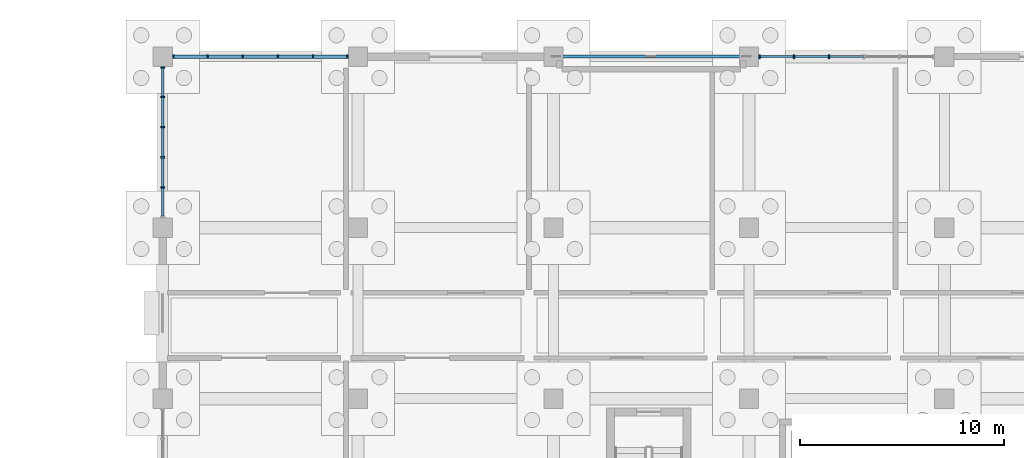
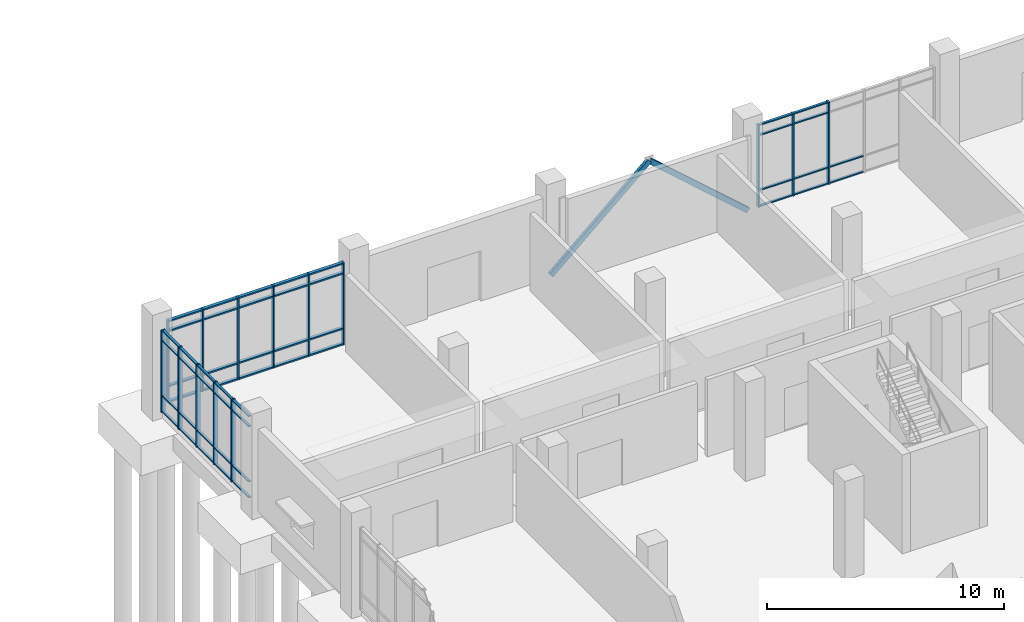
# One storey, part 70 of 136: 66 members, 3 elements without a shape of their own.
"""IFC4 building model written with IfcOpenShell, lengths in metres."""

from ifc_helpers import new_model, si_unit, direction, frame, origin, origin_2d, place, context, subcontext, project, spatial, rectangle, hollow_rectangle, extrude, material, material_profile, profile_set, type_object, element, aggregate, save


model = new_model("IFC4")

# Units and contexts
model_context = context("Model", 3, precision=1e-05, world=origin(), true_north=direction((0.0, 1.0)))
body_context = subcontext(model_context, "Body", "Model", "MODEL_VIEW")
ifc_project = project(units=[si_unit("LENGTHUNIT", "METRE"), si_unit("AREAUNIT", "SQUARE_METRE"), si_unit("VOLUMEUNIT", "CUBIC_METRE"), si_unit("PLANEANGLEUNIT", "RADIAN"), si_unit("MASSUNIT", "GRAM", prefix="KILO")], contexts=[model_context])

# Site, building, storey
site_placement = place(None, origin())
site = spatial("IfcSite", under=ifc_project, at=site_placement, CompositionType="ELEMENT")
building_placement = place(site_placement, origin())
building = spatial("IfcBuilding", under=site, at=building_placement, Name="Oolite Switchyard Hospital", CompositionType="ELEMENT")
storey_placement = place(building_placement, origin())
storey = spatial("IfcBuildingStorey", under=building, at=storey_placement, Name="L00", CompositionType="ELEMENT", Elevation=0.0)

# Curtain wall, members
ifc_material_1 = material(Name="Thermally broken aluminum frame with laminated impact glazing", Category="aluminium")
curtain_wall_type_1 = type_object("IfcCurtainWallType", Name="CW-UNIT-96X51", PredefinedType="USERDEFINED", material=ifc_material_1)
curtain_wall_1_placement = place(storey_placement, origin())
curtain_wall_1 = element("IfcCurtainWall", 1, at=curtain_wall_1_placement, inside=storey, type_object=curtain_wall_type_1, Name="L00 Unitised Curtain Wall 49", ObjectType="UNITISED", PredefinedType="USERDEFINED")
ifc_material_2 = material(Name="Aluminium 6063-T6", Category="aluminium")
ifc_material_profile_1 = material_profile(ifc_material_2, rectangle(XDim=0.179931640625, YDim=0.070068359375, at=origin_2d()), Name="CWM70X180")
ifc_profile_set_1 = profile_set([ifc_material_profile_1], Name="Aluminium 6063-T6")
member_type_1 = type_object("IfcMemberType", Name="CW-MUL-220", PredefinedType="MULLION", material=ifc_profile_set_1)
member_1_placement = place(storey_placement, frame((134.925048828125, 134.39990234375, 0.0), z_axis=(0.0, 0.0, 1.0), x_axis=(0.0, 1.0, 0.0)))
member_1 = element("IfcMember", 2, at=member_1_placement, type_object=member_type_1, Name="CW-01 mullion 1", PredefinedType="MULLION", context=body_context, shape_type="SweptSolid", body=[
    extrude(rectangle(XDim=0.179931640625, YDim=0.070068359375, at=origin_2d()), origin(), (0.0, 0.0, 1.0), 4.239990234375),
])
member_2_placement = place(storey_placement, frame((136.614013671875, 134.39990234375, 0.0), z_axis=(0.0, 0.0, 1.0), x_axis=(0.0, 1.0, 0.0)))
member_2 = element("IfcMember", 3, at=member_2_placement, type_object=member_type_1, Name="CW-01 mullion 2", PredefinedType="MULLION", context=body_context, shape_type="SweptSolid", body=[
    extrude(rectangle(XDim=0.179931640625, YDim=0.070068359375, at=origin_2d()), origin(), (0.0, 0.0, 1.0), 4.239990234375),
])
member_3_placement = place(storey_placement, frame((138.337890625, 134.39990234375, 0.0), z_axis=(0.0, 0.0, 1.0), x_axis=(0.0, 1.0, 0.0)))
member_3 = element("IfcMember", 4, at=member_3_placement, type_object=member_type_1, Name="CW-01 mullion 3", PredefinedType="MULLION", context=body_context, shape_type="SweptSolid", body=[
    extrude(rectangle(XDim=0.179931640625, YDim=0.070068359375, at=origin_2d()), origin(), (0.0, 0.0, 1.0), 4.239990234375),
])
member_4_placement = place(storey_placement, frame((140.06201171875, 134.39990234375, 0.0), z_axis=(0.0, 0.0, 1.0), x_axis=(0.0, 1.0, 0.0)))
member_4 = element("IfcMember", 5, at=member_4_placement, type_object=member_type_1, Name="CW-01 mullion 4", PredefinedType="MULLION", context=body_context, shape_type="SweptSolid", body=[
    extrude(rectangle(XDim=0.179931640625, YDim=0.070068359375, at=origin_2d()), origin(), (0.0, 0.0, 1.0), 4.239990234375),
])
member_5_placement = place(storey_placement, frame((141.785888671875, 134.39990234375, 0.0), z_axis=(0.0, 0.0, 1.0), x_axis=(0.0, 1.0, 0.0)))
member_5 = element("IfcMember", 6, at=member_5_placement, type_object=member_type_1, Name="CW-01 mullion 5", PredefinedType="MULLION", context=body_context, shape_type="SweptSolid", body=[
    extrude(rectangle(XDim=0.179931640625, YDim=0.070068359375, at=origin_2d()), origin(), (0.0, 0.0, 1.0), 4.239990234375),
])
member_6_placement = place(storey_placement, frame((143.47509765625, 134.39990234375, 0.0), z_axis=(0.0, 0.0, 1.0), x_axis=(0.0, 1.0, 0.0)))
member_6 = element("IfcMember", 7, at=member_6_placement, type_object=member_type_1, Name="CW-01 mullion 6", PredefinedType="MULLION", context=body_context, shape_type="SweptSolid", body=[
    extrude(rectangle(XDim=0.179931640625, YDim=0.070068359375, at=origin_2d()), origin(), (0.0, 0.0, 1.0), 4.239990234375),
])

curtain_wall_2_placement = place(storey_placement, origin())
curtain_wall_2 = element("IfcCurtainWall", 8, at=curtain_wall_2_placement, inside=storey, type_object=curtain_wall_type_1, Name="L00 Unitised Curtain Wall 50", ObjectType="UNITISED", PredefinedType="USERDEFINED")
ifc_material_profile_2 = material_profile(ifc_material_2, rectangle(XDim=0.199951171875, YDim=0.074951171875, at=origin_2d()), Name="CWM75X200")
ifc_profile_set_2 = profile_set([ifc_material_profile_2], Name="Aluminium 6063-T6")
member_type_2 = type_object("IfcMemberType", Name="CW-MUL-260", PredefinedType="MULLION", material=ifc_profile_set_2)
member_7_placement = place(storey_placement, frame((163.7275390625, 134.39990234375, 0.0), z_axis=(0.0, 0.0, 1.0), x_axis=(0.0, 1.0, 0.0)))
member_7 = element("IfcMember", 9, at=member_7_placement, type_object=member_type_2, Name="CW-01 mullion 1", PredefinedType="MULLION", context=body_context, shape_type="SweptSolid", body=[
    extrude(rectangle(XDim=0.199951171875, YDim=0.074951171875, at=origin_2d()), origin(), (0.0, 0.0, 1.0), 4.239990234375),
])
member_8_placement = place(storey_placement, frame((165.4140625, 134.39990234375, 0.0), z_axis=(0.0, 0.0, 1.0), x_axis=(0.0, 1.0, 0.0)))
member_8 = element("IfcMember", 10, at=member_8_placement, type_object=member_type_2, Name="CW-01 mullion 2", PredefinedType="MULLION", context=body_context, shape_type="SweptSolid", body=[
    extrude(rectangle(XDim=0.199951171875, YDim=0.074951171875, at=origin_2d()), origin(), (0.0, 0.0, 1.0), 4.239990234375),
])
member_9_placement = place(storey_placement, frame((167.137939453125, 134.39990234375, 0.0), z_axis=(0.0, 0.0, 1.0), x_axis=(0.0, 1.0, 0.0)))
member_9 = element("IfcMember", 11, at=member_9_placement, type_object=member_type_2, Name="CW-01 mullion 3", PredefinedType="MULLION", context=body_context, shape_type="SweptSolid", body=[
    extrude(rectangle(XDim=0.199951171875, YDim=0.074951171875, at=origin_2d()), origin(), (0.0, 0.0, 1.0), 4.239990234375),
])

curtain_wall_type_2 = type_object("IfcCurtainWallType", Name="CW-UNIT-84X51", PredefinedType="USERDEFINED", material=ifc_material_1)
curtain_wall_3_placement = place(storey_placement, origin())
curtain_wall_3 = element("IfcCurtainWall", 12, at=curtain_wall_3_placement, inside=storey, type_object=curtain_wall_type_2, Name="L00 Unitised Curtain Wall 74", ObjectType="UNITISED", PredefinedType="USERDEFINED")
member_10_placement = place(storey_placement, frame((134.39990234375, 127.97412109375, 0.0), z_axis=(0.0, 0.0, 1.0), x_axis=(-1.0, 0.0, 0.0)))
member_10 = element("IfcMember", 13, at=member_10_placement, type_object=member_type_2, Name="CW-06 mullion 2", PredefinedType="MULLION", context=body_context, shape_type="SweptSolid", body=[
    extrude(rectangle(XDim=0.199951171875, YDim=0.074951171875, at=origin_2d()), origin(), (0.0, 0.0, 1.0), 4.239990234375),
])
member_11_placement = place(storey_placement, frame((134.39990234375, 129.4580078125, 0.0), z_axis=(0.0, 0.0, 1.0), x_axis=(-1.0, 0.0, 0.0)))
member_11 = element("IfcMember", 14, at=member_11_placement, type_object=member_type_2, Name="CW-06 mullion 3", PredefinedType="MULLION", context=body_context, shape_type="SweptSolid", body=[
    extrude(rectangle(XDim=0.199951171875, YDim=0.074951171875, at=origin_2d()), origin(), (0.0, 0.0, 1.0), 4.239990234375),
])
member_12_placement = place(storey_placement, frame((134.39990234375, 130.94189453125, 0.0), z_axis=(0.0, 0.0, 1.0), x_axis=(-1.0, 0.0, 0.0)))
member_12 = element("IfcMember", 15, at=member_12_placement, type_object=member_type_2, Name="CW-06 mullion 4", PredefinedType="MULLION", context=body_context, shape_type="SweptSolid", body=[
    extrude(rectangle(XDim=0.199951171875, YDim=0.074951171875, at=origin_2d()), origin(), (0.0, 0.0, 1.0), 4.239990234375),
])
member_13_placement = place(storey_placement, frame((134.39990234375, 132.426025390625, 0.0), z_axis=(0.0, 0.0, 1.0), x_axis=(-1.0, 0.0, 0.0)))
member_13 = element("IfcMember", 16, at=member_13_placement, type_object=member_type_2, Name="CW-06 mullion 5", PredefinedType="MULLION", context=body_context, shape_type="SweptSolid", body=[
    extrude(rectangle(XDim=0.199951171875, YDim=0.074951171875, at=origin_2d()), origin(), (0.0, 0.0, 1.0), 4.239990234375),
])
member_14_placement = place(storey_placement, frame((134.39990234375, 133.87255859375, 0.0), z_axis=(0.0, 0.0, 1.0), x_axis=(-1.0, 0.0, 0.0)))
member_14 = element("IfcMember", 17, at=member_14_placement, type_object=member_type_2, Name="CW-06 mullion 6", PredefinedType="MULLION", context=body_context, shape_type="SweptSolid", body=[
    extrude(rectangle(XDim=0.199951171875, YDim=0.074951171875, at=origin_2d()), origin(), (0.0, 0.0, 1.0), 4.239990234375),
])

# Member
ifc_material_profile_3 = material_profile(ifc_material_2, rectangle(XDim=0.1201171875, YDim=0.06005859375, at=origin_2d()), Name="CWT60X120")
ifc_profile_set_3 = profile_set([ifc_material_profile_3], Name="Aluminium 6063-T6")
member_type_3 = type_object("IfcMemberType", Name="CW-TRN-150", PredefinedType="USERDEFINED", material=ifc_profile_set_3)
member_15_placement = place(storey_placement, frame((163.764892578125, 134.39990234375, 0.030029296875), z_axis=(1.0, 0.0, 0.0), x_axis=(0.0, 1.0, 0.0)))
member_15 = element("IfcMember", 18, at=member_15_placement, type_object=member_type_3, Name="CW-01 transom 1.1", ObjectType="TRANSOM", PredefinedType="USERDEFINED", context=body_context, shape_type="SweptSolid", body=[
    extrude(rectangle(XDim=0.1201171875, YDim=0.06005859375, at=origin_2d()), origin(), (0.0, 0.0, 1.0), 1.611572265625),
])

member_16_placement = place(storey_placement, frame((163.764892578125, 134.39990234375, 0.85009765625), z_axis=(1.0, 0.0, 0.0), x_axis=(0.0, 1.0, 0.0)))
member_16 = element("IfcMember", 19, at=member_16_placement, type_object=member_type_3, Name="CW-01 transom 1.2", ObjectType="TRANSOM", PredefinedType="USERDEFINED", context=body_context, shape_type="SweptSolid", body=[
    extrude(rectangle(XDim=0.1201171875, YDim=0.06005859375, at=origin_2d()), origin(), (0.0, 0.0, 1.0), 1.611572265625),
])

member_17_placement = place(storey_placement, frame((163.764892578125, 134.39990234375, 3.68994140625), z_axis=(1.0, 0.0, 0.0), x_axis=(0.0, 1.0, 0.0)))
member_17 = element("IfcMember", 20, at=member_17_placement, type_object=member_type_3, Name="CW-01 transom 1.3", ObjectType="TRANSOM", PredefinedType="USERDEFINED", context=body_context, shape_type="SweptSolid", body=[
    extrude(rectangle(XDim=0.1201171875, YDim=0.06005859375, at=origin_2d()), origin(), (0.0, 0.0, 1.0), 1.611572265625),
])

member_18_placement = place(storey_placement, frame((163.764892578125, 134.39990234375, 4.2099609375), z_axis=(1.0, 0.0, 0.0), x_axis=(0.0, 1.0, 0.0)))
member_18 = element("IfcMember", 21, at=member_18_placement, type_object=member_type_3, Name="CW-01 transom 1.4", ObjectType="TRANSOM", PredefinedType="USERDEFINED", context=body_context, shape_type="SweptSolid", body=[
    extrude(rectangle(XDim=0.1201171875, YDim=0.06005859375, at=origin_2d()), origin(), (0.0, 0.0, 1.0), 1.611572265625),
])

member_19_placement = place(storey_placement, frame((165.451416015625, 134.39990234375, 0.030029296875), z_axis=(1.0, 0.0, 0.0), x_axis=(0.0, 1.0, 0.0)))
member_19 = element("IfcMember", 22, at=member_19_placement, type_object=member_type_3, Name="CW-01 transom 2.1", ObjectType="TRANSOM", PredefinedType="USERDEFINED", context=body_context, shape_type="SweptSolid", body=[
    extrude(rectangle(XDim=0.1201171875, YDim=0.06005859375, at=origin_2d()), origin(), (0.0, 0.0, 1.0), 1.649169921875),
])

member_20_placement = place(storey_placement, frame((165.451416015625, 134.39990234375, 0.85009765625), z_axis=(1.0, 0.0, 0.0), x_axis=(0.0, 1.0, 0.0)))
member_20 = element("IfcMember", 23, at=member_20_placement, type_object=member_type_3, Name="CW-01 transom 2.2", ObjectType="TRANSOM", PredefinedType="USERDEFINED", context=body_context, shape_type="SweptSolid", body=[
    extrude(rectangle(XDim=0.1201171875, YDim=0.06005859375, at=origin_2d()), origin(), (0.0, 0.0, 1.0), 1.649169921875),
])

member_21_placement = place(storey_placement, frame((165.451416015625, 134.39990234375, 3.68994140625), z_axis=(1.0, 0.0, 0.0), x_axis=(0.0, 1.0, 0.0)))
member_21 = element("IfcMember", 24, at=member_21_placement, type_object=member_type_3, Name="CW-01 transom 2.3", ObjectType="TRANSOM", PredefinedType="USERDEFINED", context=body_context, shape_type="SweptSolid", body=[
    extrude(rectangle(XDim=0.1201171875, YDim=0.06005859375, at=origin_2d()), origin(), (0.0, 0.0, 1.0), 1.649169921875),
])

member_22_placement = place(storey_placement, frame((165.451416015625, 134.39990234375, 4.2099609375), z_axis=(1.0, 0.0, 0.0), x_axis=(0.0, 1.0, 0.0)))
member_22 = element("IfcMember", 25, at=member_22_placement, type_object=member_type_3, Name="CW-01 transom 2.4", ObjectType="TRANSOM", PredefinedType="USERDEFINED", context=body_context, shape_type="SweptSolid", body=[
    extrude(rectangle(XDim=0.1201171875, YDim=0.06005859375, at=origin_2d()), origin(), (0.0, 0.0, 1.0), 1.649169921875),
])

member_23_placement = place(storey_placement, frame((167.175537109375, 134.39990234375, 0.030029296875), z_axis=(1.0, 0.0, 0.0), x_axis=(0.0, 1.0, 0.0)))
member_23 = element("IfcMember", 26, at=member_23_placement, type_object=member_type_3, Name="CW-01 transom 3.1", ObjectType="TRANSOM", PredefinedType="USERDEFINED", context=body_context, shape_type="SweptSolid", body=[
    extrude(rectangle(XDim=0.1201171875, YDim=0.06005859375, at=origin_2d()), origin(), (0.0, 0.0, 1.0), 1.64892578125),
])

member_24_placement = place(storey_placement, frame((167.175537109375, 134.39990234375, 0.85009765625), z_axis=(1.0, 0.0, 0.0), x_axis=(0.0, 1.0, 0.0)))
member_24 = element("IfcMember", 27, at=member_24_placement, type_object=member_type_3, Name="CW-01 transom 3.2", ObjectType="TRANSOM", PredefinedType="USERDEFINED", context=body_context, shape_type="SweptSolid", body=[
    extrude(rectangle(XDim=0.1201171875, YDim=0.06005859375, at=origin_2d()), origin(), (0.0, 0.0, 1.0), 1.64892578125),
])

aggregate(curtain_wall_2, [member_7, member_8, member_9, member_15, member_16, member_17, member_18, member_19, member_20, member_21, member_22, member_23, member_24])

member_25_placement = place(storey_placement, frame((134.39990234375, 126.56494140625, 0.030029296875), z_axis=(0.0, 1.0, 0.0), x_axis=(-1.0, 0.0, 0.0)))
member_25 = element("IfcMember", 28, at=member_25_placement, type_object=member_type_3, Name="CW-06 transom 1.1", ObjectType="TRANSOM", PredefinedType="USERDEFINED", context=body_context, shape_type="SweptSolid", body=[
    extrude(rectangle(XDim=0.1201171875, YDim=0.06005859375, at=origin_2d()), origin(), (0.0, 0.0, 1.0), 1.37158203125),
])

member_26_placement = place(storey_placement, frame((134.39990234375, 126.56494140625, 0.85009765625), z_axis=(0.0, 1.0, 0.0), x_axis=(-1.0, 0.0, 0.0)))
member_26 = element("IfcMember", 29, at=member_26_placement, type_object=member_type_3, Name="CW-06 transom 1.2", ObjectType="TRANSOM", PredefinedType="USERDEFINED", context=body_context, shape_type="SweptSolid", body=[
    extrude(rectangle(XDim=0.1201171875, YDim=0.06005859375, at=origin_2d()), origin(), (0.0, 0.0, 1.0), 1.37158203125),
])

member_27_placement = place(storey_placement, frame((134.39990234375, 126.56494140625, 3.68994140625), z_axis=(0.0, 1.0, 0.0), x_axis=(-1.0, 0.0, 0.0)))
member_27 = element("IfcMember", 30, at=member_27_placement, type_object=member_type_3, Name="CW-06 transom 1.3", ObjectType="TRANSOM", PredefinedType="USERDEFINED", context=body_context, shape_type="SweptSolid", body=[
    extrude(rectangle(XDim=0.1201171875, YDim=0.06005859375, at=origin_2d()), origin(), (0.0, 0.0, 1.0), 1.37158203125),
])

member_28_placement = place(storey_placement, frame((134.39990234375, 126.56494140625, 4.2099609375), z_axis=(0.0, 1.0, 0.0), x_axis=(-1.0, 0.0, 0.0)))
member_28 = element("IfcMember", 31, at=member_28_placement, type_object=member_type_3, Name="CW-06 transom 1.4", ObjectType="TRANSOM", PredefinedType="USERDEFINED", context=body_context, shape_type="SweptSolid", body=[
    extrude(rectangle(XDim=0.1201171875, YDim=0.06005859375, at=origin_2d()), origin(), (0.0, 0.0, 1.0), 1.37158203125),
])

member_29_placement = place(storey_placement, frame((134.39990234375, 128.011474609375, 0.030029296875), z_axis=(0.0, 1.0, 0.0), x_axis=(-1.0, 0.0, 0.0)))
member_29 = element("IfcMember", 32, at=member_29_placement, type_object=member_type_3, Name="CW-06 transom 2.1", ObjectType="TRANSOM", PredefinedType="USERDEFINED", context=body_context, shape_type="SweptSolid", body=[
    extrude(rectangle(XDim=0.1201171875, YDim=0.06005859375, at=origin_2d()), origin(), (0.0, 0.0, 1.0), 1.408935546875),
])

member_30_placement = place(storey_placement, frame((134.39990234375, 128.011474609375, 0.85009765625), z_axis=(0.0, 1.0, 0.0), x_axis=(-1.0, 0.0, 0.0)))
member_30 = element("IfcMember", 33, at=member_30_placement, type_object=member_type_3, Name="CW-06 transom 2.2", ObjectType="TRANSOM", PredefinedType="USERDEFINED", context=body_context, shape_type="SweptSolid", body=[
    extrude(rectangle(XDim=0.1201171875, YDim=0.06005859375, at=origin_2d()), origin(), (0.0, 0.0, 1.0), 1.408935546875),
])

member_31_placement = place(storey_placement, frame((134.39990234375, 128.011474609375, 3.68994140625), z_axis=(0.0, 1.0, 0.0), x_axis=(-1.0, 0.0, 0.0)))
member_31 = element("IfcMember", 34, at=member_31_placement, type_object=member_type_3, Name="CW-06 transom 2.3", ObjectType="TRANSOM", PredefinedType="USERDEFINED", context=body_context, shape_type="SweptSolid", body=[
    extrude(rectangle(XDim=0.1201171875, YDim=0.06005859375, at=origin_2d()), origin(), (0.0, 0.0, 1.0), 1.408935546875),
])

member_32_placement = place(storey_placement, frame((134.39990234375, 128.011474609375, 4.2099609375), z_axis=(0.0, 1.0, 0.0), x_axis=(-1.0, 0.0, 0.0)))
member_32 = element("IfcMember", 35, at=member_32_placement, type_object=member_type_3, Name="CW-06 transom 2.4", ObjectType="TRANSOM", PredefinedType="USERDEFINED", context=body_context, shape_type="SweptSolid", body=[
    extrude(rectangle(XDim=0.1201171875, YDim=0.06005859375, at=origin_2d()), origin(), (0.0, 0.0, 1.0), 1.408935546875),
])

member_33_placement = place(storey_placement, frame((134.39990234375, 129.49560546875, 0.030029296875), z_axis=(0.0, 1.0, 0.0), x_axis=(-1.0, 0.0, 0.0)))
member_33 = element("IfcMember", 36, at=member_33_placement, type_object=member_type_3, Name="CW-06 transom 3.1", ObjectType="TRANSOM", PredefinedType="USERDEFINED", context=body_context, shape_type="SweptSolid", body=[
    extrude(rectangle(XDim=0.1201171875, YDim=0.06005859375, at=origin_2d()), origin(), (0.0, 0.0, 1.0), 1.408935546875),
])

member_34_placement = place(storey_placement, frame((134.39990234375, 129.49560546875, 0.85009765625), z_axis=(0.0, 1.0, 0.0), x_axis=(-1.0, 0.0, 0.0)))
member_34 = element("IfcMember", 37, at=member_34_placement, type_object=member_type_3, Name="CW-06 transom 3.2", ObjectType="TRANSOM", PredefinedType="USERDEFINED", context=body_context, shape_type="SweptSolid", body=[
    extrude(rectangle(XDim=0.1201171875, YDim=0.06005859375, at=origin_2d()), origin(), (0.0, 0.0, 1.0), 1.408935546875),
])

member_35_placement = place(storey_placement, frame((134.39990234375, 129.49560546875, 3.68994140625), z_axis=(0.0, 1.0, 0.0), x_axis=(-1.0, 0.0, 0.0)))
member_35 = element("IfcMember", 38, at=member_35_placement, type_object=member_type_3, Name="CW-06 transom 3.3", ObjectType="TRANSOM", PredefinedType="USERDEFINED", context=body_context, shape_type="SweptSolid", body=[
    extrude(rectangle(XDim=0.1201171875, YDim=0.06005859375, at=origin_2d()), origin(), (0.0, 0.0, 1.0), 1.408935546875),
])

member_36_placement = place(storey_placement, frame((134.39990234375, 129.49560546875, 4.2099609375), z_axis=(0.0, 1.0, 0.0), x_axis=(-1.0, 0.0, 0.0)))
member_36 = element("IfcMember", 39, at=member_36_placement, type_object=member_type_3, Name="CW-06 transom 3.4", ObjectType="TRANSOM", PredefinedType="USERDEFINED", context=body_context, shape_type="SweptSolid", body=[
    extrude(rectangle(XDim=0.1201171875, YDim=0.06005859375, at=origin_2d()), origin(), (0.0, 0.0, 1.0), 1.408935546875),
])

member_37_placement = place(storey_placement, frame((134.39990234375, 130.9794921875, 0.030029296875), z_axis=(0.0, 1.0, 0.0), x_axis=(-1.0, 0.0, 0.0)))
member_37 = element("IfcMember", 40, at=member_37_placement, type_object=member_type_3, Name="CW-06 transom 4.1", ObjectType="TRANSOM", PredefinedType="USERDEFINED", context=body_context, shape_type="SweptSolid", body=[
    extrude(rectangle(XDim=0.1201171875, YDim=0.06005859375, at=origin_2d()), origin(), (0.0, 0.0, 1.0), 1.408935546875),
])

member_38_placement = place(storey_placement, frame((134.39990234375, 130.9794921875, 0.85009765625), z_axis=(0.0, 1.0, 0.0), x_axis=(-1.0, 0.0, 0.0)))
member_38 = element("IfcMember", 41, at=member_38_placement, type_object=member_type_3, Name="CW-06 transom 4.2", ObjectType="TRANSOM", PredefinedType="USERDEFINED", context=body_context, shape_type="SweptSolid", body=[
    extrude(rectangle(XDim=0.1201171875, YDim=0.06005859375, at=origin_2d()), origin(), (0.0, 0.0, 1.0), 1.408935546875),
])

member_39_placement = place(storey_placement, frame((134.39990234375, 130.9794921875, 3.68994140625), z_axis=(0.0, 1.0, 0.0), x_axis=(-1.0, 0.0, 0.0)))
member_39 = element("IfcMember", 42, at=member_39_placement, type_object=member_type_3, Name="CW-06 transom 4.3", ObjectType="TRANSOM", PredefinedType="USERDEFINED", context=body_context, shape_type="SweptSolid", body=[
    extrude(rectangle(XDim=0.1201171875, YDim=0.06005859375, at=origin_2d()), origin(), (0.0, 0.0, 1.0), 1.408935546875),
])

member_40_placement = place(storey_placement, frame((134.39990234375, 130.9794921875, 4.2099609375), z_axis=(0.0, 1.0, 0.0), x_axis=(-1.0, 0.0, 0.0)))
member_40 = element("IfcMember", 43, at=member_40_placement, type_object=member_type_3, Name="CW-06 transom 4.4", ObjectType="TRANSOM", PredefinedType="USERDEFINED", context=body_context, shape_type="SweptSolid", body=[
    extrude(rectangle(XDim=0.1201171875, YDim=0.06005859375, at=origin_2d()), origin(), (0.0, 0.0, 1.0), 1.408935546875),
])

member_41_placement = place(storey_placement, frame((134.39990234375, 132.46337890625, 0.030029296875), z_axis=(0.0, 1.0, 0.0), x_axis=(-1.0, 0.0, 0.0)))
member_41 = element("IfcMember", 44, at=member_41_placement, type_object=member_type_3, Name="CW-06 transom 5.1", ObjectType="TRANSOM", PredefinedType="USERDEFINED", context=body_context, shape_type="SweptSolid", body=[
    extrude(rectangle(XDim=0.1201171875, YDim=0.06005859375, at=origin_2d()), origin(), (0.0, 0.0, 1.0), 1.37158203125),
])

member_42_placement = place(storey_placement, frame((134.39990234375, 132.46337890625, 0.85009765625), z_axis=(0.0, 1.0, 0.0), x_axis=(-1.0, 0.0, 0.0)))
member_42 = element("IfcMember", 45, at=member_42_placement, type_object=member_type_3, Name="CW-06 transom 5.2", ObjectType="TRANSOM", PredefinedType="USERDEFINED", context=body_context, shape_type="SweptSolid", body=[
    extrude(rectangle(XDim=0.1201171875, YDim=0.06005859375, at=origin_2d()), origin(), (0.0, 0.0, 1.0), 1.37158203125),
])

member_43_placement = place(storey_placement, frame((134.39990234375, 132.46337890625, 3.68994140625), z_axis=(0.0, 1.0, 0.0), x_axis=(-1.0, 0.0, 0.0)))
member_43 = element("IfcMember", 46, at=member_43_placement, type_object=member_type_3, Name="CW-06 transom 5.3", ObjectType="TRANSOM", PredefinedType="USERDEFINED", context=body_context, shape_type="SweptSolid", body=[
    extrude(rectangle(XDim=0.1201171875, YDim=0.06005859375, at=origin_2d()), origin(), (0.0, 0.0, 1.0), 1.37158203125),
])

member_44_placement = place(storey_placement, frame((134.39990234375, 132.46337890625, 4.2099609375), z_axis=(0.0, 1.0, 0.0), x_axis=(-1.0, 0.0, 0.0)))
member_44 = element("IfcMember", 47, at=member_44_placement, type_object=member_type_3, Name="CW-06 transom 5.4", ObjectType="TRANSOM", PredefinedType="USERDEFINED", context=body_context, shape_type="SweptSolid", body=[
    extrude(rectangle(XDim=0.1201171875, YDim=0.06005859375, at=origin_2d()), origin(), (0.0, 0.0, 1.0), 1.37158203125),
])

aggregate(curtain_wall_3, [member_10, member_11, member_12, member_13, member_14, member_25, member_26, member_27, member_28, member_29, member_30, member_31, member_32, member_33, member_34, member_35, member_36, member_37, member_38, member_39, member_40, member_41, member_42, member_43, member_44])

ifc_material_profile_4 = material_profile(ifc_material_2, rectangle(XDim=0.159912109375, YDim=0.074951171875, at=origin_2d()), Name="CWT75X160")
ifc_profile_set_4 = profile_set([ifc_material_profile_4], Name="Aluminium 6063-T6")
member_type_4 = type_object("IfcMemberType", Name="CW-TRN-180", PredefinedType="USERDEFINED", material=ifc_profile_set_4)
member_45_placement = place(storey_placement, frame((134.9599609375, 134.39990234375, 0.03759765625), z_axis=(1.0, 0.0, 0.0), x_axis=(0.0, 1.0, 0.0)))
member_45 = element("IfcMember", 48, at=member_45_placement, type_object=member_type_4, Name="CW-01 transom 1.1", ObjectType="TRANSOM", PredefinedType="USERDEFINED", context=body_context, shape_type="SweptSolid", body=[
    extrude(rectangle(XDim=0.159912109375, YDim=0.074951171875, at=origin_2d()), origin(), (0.0, 0.0, 1.0), 1.619140625),
])

member_46_placement = place(storey_placement, frame((134.9599609375, 134.39990234375, 0.85009765625), z_axis=(1.0, 0.0, 0.0), x_axis=(0.0, 1.0, 0.0)))
member_46 = element("IfcMember", 49, at=member_46_placement, type_object=member_type_4, Name="CW-01 transom 1.2", ObjectType="TRANSOM", PredefinedType="USERDEFINED", context=body_context, shape_type="SweptSolid", body=[
    extrude(rectangle(XDim=0.159912109375, YDim=0.074951171875, at=origin_2d()), origin(), (0.0, 0.0, 1.0), 1.619140625),
])

member_47_placement = place(storey_placement, frame((134.9599609375, 134.39990234375, 3.68994140625), z_axis=(1.0, 0.0, 0.0), x_axis=(0.0, 1.0, 0.0)))
member_47 = element("IfcMember", 50, at=member_47_placement, type_object=member_type_4, Name="CW-01 transom 1.3", ObjectType="TRANSOM", PredefinedType="USERDEFINED", context=body_context, shape_type="SweptSolid", body=[
    extrude(rectangle(XDim=0.159912109375, YDim=0.074951171875, at=origin_2d()), origin(), (0.0, 0.0, 1.0), 1.619140625),
])

member_48_placement = place(storey_placement, frame((134.9599609375, 134.39990234375, 4.202392578125), z_axis=(1.0, 0.0, 0.0), x_axis=(0.0, 1.0, 0.0)))
member_48 = element("IfcMember", 51, at=member_48_placement, type_object=member_type_4, Name="CW-01 transom 1.4", ObjectType="TRANSOM", PredefinedType="USERDEFINED", context=body_context, shape_type="SweptSolid", body=[
    extrude(rectangle(XDim=0.159912109375, YDim=0.074951171875, at=origin_2d()), origin(), (0.0, 0.0, 1.0), 1.619140625),
])

member_49_placement = place(storey_placement, frame((136.64892578125, 134.39990234375, 0.03759765625), z_axis=(1.0, 0.0, 0.0), x_axis=(0.0, 1.0, 0.0)))
member_49 = element("IfcMember", 52, at=member_49_placement, type_object=member_type_4, Name="CW-01 transom 2.1", ObjectType="TRANSOM", PredefinedType="USERDEFINED", context=body_context, shape_type="SweptSolid", body=[
    extrude(rectangle(XDim=0.159912109375, YDim=0.074951171875, at=origin_2d()), origin(), (0.0, 0.0, 1.0), 1.654052734375),
])

member_50_placement = place(storey_placement, frame((136.64892578125, 134.39990234375, 0.85009765625), z_axis=(1.0, 0.0, 0.0), x_axis=(0.0, 1.0, 0.0)))
member_50 = element("IfcMember", 53, at=member_50_placement, type_object=member_type_4, Name="CW-01 transom 2.2", ObjectType="TRANSOM", PredefinedType="USERDEFINED", context=body_context, shape_type="SweptSolid", body=[
    extrude(rectangle(XDim=0.159912109375, YDim=0.074951171875, at=origin_2d()), origin(), (0.0, 0.0, 1.0), 1.654052734375),
])

member_51_placement = place(storey_placement, frame((136.64892578125, 134.39990234375, 3.68994140625), z_axis=(1.0, 0.0, 0.0), x_axis=(0.0, 1.0, 0.0)))
member_51 = element("IfcMember", 54, at=member_51_placement, type_object=member_type_4, Name="CW-01 transom 2.3", ObjectType="TRANSOM", PredefinedType="USERDEFINED", context=body_context, shape_type="SweptSolid", body=[
    extrude(rectangle(XDim=0.159912109375, YDim=0.074951171875, at=origin_2d()), origin(), (0.0, 0.0, 1.0), 1.654052734375),
])

member_52_placement = place(storey_placement, frame((136.64892578125, 134.39990234375, 4.202392578125), z_axis=(1.0, 0.0, 0.0), x_axis=(0.0, 1.0, 0.0)))
member_52 = element("IfcMember", 55, at=member_52_placement, type_object=member_type_4, Name="CW-01 transom 2.4", ObjectType="TRANSOM", PredefinedType="USERDEFINED", context=body_context, shape_type="SweptSolid", body=[
    extrude(rectangle(XDim=0.159912109375, YDim=0.074951171875, at=origin_2d()), origin(), (0.0, 0.0, 1.0), 1.654052734375),
])

member_53_placement = place(storey_placement, frame((138.373046875, 134.39990234375, 0.03759765625), z_axis=(1.0, 0.0, 0.0), x_axis=(0.0, 1.0, 0.0)))
member_53 = element("IfcMember", 56, at=member_53_placement, type_object=member_type_4, Name="CW-01 transom 3.1", ObjectType="TRANSOM", PredefinedType="USERDEFINED", context=body_context, shape_type="SweptSolid", body=[
    extrude(rectangle(XDim=0.159912109375, YDim=0.074951171875, at=origin_2d()), origin(), (0.0, 0.0, 1.0), 1.654052734375),
])

member_54_placement = place(storey_placement, frame((138.373046875, 134.39990234375, 0.85009765625), z_axis=(1.0, 0.0, 0.0), x_axis=(0.0, 1.0, 0.0)))
member_54 = element("IfcMember", 57, at=member_54_placement, type_object=member_type_4, Name="CW-01 transom 3.2", ObjectType="TRANSOM", PredefinedType="USERDEFINED", context=body_context, shape_type="SweptSolid", body=[
    extrude(rectangle(XDim=0.159912109375, YDim=0.074951171875, at=origin_2d()), origin(), (0.0, 0.0, 1.0), 1.654052734375),
])

member_55_placement = place(storey_placement, frame((138.373046875, 134.39990234375, 3.68994140625), z_axis=(1.0, 0.0, 0.0), x_axis=(0.0, 1.0, 0.0)))
member_55 = element("IfcMember", 58, at=member_55_placement, type_object=member_type_4, Name="CW-01 transom 3.3", ObjectType="TRANSOM", PredefinedType="USERDEFINED", context=body_context, shape_type="SweptSolid", body=[
    extrude(rectangle(XDim=0.159912109375, YDim=0.074951171875, at=origin_2d()), origin(), (0.0, 0.0, 1.0), 1.654052734375),
])

member_56_placement = place(storey_placement, frame((138.373046875, 134.39990234375, 4.202392578125), z_axis=(1.0, 0.0, 0.0), x_axis=(0.0, 1.0, 0.0)))
member_56 = element("IfcMember", 59, at=member_56_placement, type_object=member_type_4, Name="CW-01 transom 3.4", ObjectType="TRANSOM", PredefinedType="USERDEFINED", context=body_context, shape_type="SweptSolid", body=[
    extrude(rectangle(XDim=0.159912109375, YDim=0.074951171875, at=origin_2d()), origin(), (0.0, 0.0, 1.0), 1.654052734375),
])

member_57_placement = place(storey_placement, frame((140.096923828125, 134.39990234375, 0.03759765625), z_axis=(1.0, 0.0, 0.0), x_axis=(0.0, 1.0, 0.0)))
member_57 = element("IfcMember", 60, at=member_57_placement, type_object=member_type_4, Name="CW-01 transom 4.1", ObjectType="TRANSOM", PredefinedType="USERDEFINED", context=body_context, shape_type="SweptSolid", body=[
    extrude(rectangle(XDim=0.159912109375, YDim=0.074951171875, at=origin_2d()), origin(), (0.0, 0.0, 1.0), 1.654052734375),
])

member_58_placement = place(storey_placement, frame((140.096923828125, 134.39990234375, 0.85009765625), z_axis=(1.0, 0.0, 0.0), x_axis=(0.0, 1.0, 0.0)))
member_58 = element("IfcMember", 61, at=member_58_placement, type_object=member_type_4, Name="CW-01 transom 4.2", ObjectType="TRANSOM", PredefinedType="USERDEFINED", context=body_context, shape_type="SweptSolid", body=[
    extrude(rectangle(XDim=0.159912109375, YDim=0.074951171875, at=origin_2d()), origin(), (0.0, 0.0, 1.0), 1.654052734375),
])

member_59_placement = place(storey_placement, frame((140.096923828125, 134.39990234375, 3.68994140625), z_axis=(1.0, 0.0, 0.0), x_axis=(0.0, 1.0, 0.0)))
member_59 = element("IfcMember", 62, at=member_59_placement, type_object=member_type_4, Name="CW-01 transom 4.3", ObjectType="TRANSOM", PredefinedType="USERDEFINED", context=body_context, shape_type="SweptSolid", body=[
    extrude(rectangle(XDim=0.159912109375, YDim=0.074951171875, at=origin_2d()), origin(), (0.0, 0.0, 1.0), 1.654052734375),
])

member_60_placement = place(storey_placement, frame((140.096923828125, 134.39990234375, 4.202392578125), z_axis=(1.0, 0.0, 0.0), x_axis=(0.0, 1.0, 0.0)))
member_60 = element("IfcMember", 63, at=member_60_placement, type_object=member_type_4, Name="CW-01 transom 4.4", ObjectType="TRANSOM", PredefinedType="USERDEFINED", context=body_context, shape_type="SweptSolid", body=[
    extrude(rectangle(XDim=0.159912109375, YDim=0.074951171875, at=origin_2d()), origin(), (0.0, 0.0, 1.0), 1.654052734375),
])

member_61_placement = place(storey_placement, frame((141.821044921875, 134.39990234375, 0.03759765625), z_axis=(1.0, 0.0, 0.0), x_axis=(0.0, 1.0, 0.0)))
member_61 = element("IfcMember", 64, at=member_61_placement, type_object=member_type_4, Name="CW-01 transom 5.1", ObjectType="TRANSOM", PredefinedType="USERDEFINED", context=body_context, shape_type="SweptSolid", body=[
    extrude(rectangle(XDim=0.159912109375, YDim=0.074951171875, at=origin_2d()), origin(), (0.0, 0.0, 1.0), 1.618896484375),
])

member_62_placement = place(storey_placement, frame((141.821044921875, 134.39990234375, 0.85009765625), z_axis=(1.0, 0.0, 0.0), x_axis=(0.0, 1.0, 0.0)))
member_62 = element("IfcMember", 65, at=member_62_placement, type_object=member_type_4, Name="CW-01 transom 5.2", ObjectType="TRANSOM", PredefinedType="USERDEFINED", context=body_context, shape_type="SweptSolid", body=[
    extrude(rectangle(XDim=0.159912109375, YDim=0.074951171875, at=origin_2d()), origin(), (0.0, 0.0, 1.0), 1.618896484375),
])

member_63_placement = place(storey_placement, frame((141.821044921875, 134.39990234375, 3.68994140625), z_axis=(1.0, 0.0, 0.0), x_axis=(0.0, 1.0, 0.0)))
member_63 = element("IfcMember", 66, at=member_63_placement, type_object=member_type_4, Name="CW-01 transom 5.3", ObjectType="TRANSOM", PredefinedType="USERDEFINED", context=body_context, shape_type="SweptSolid", body=[
    extrude(rectangle(XDim=0.159912109375, YDim=0.074951171875, at=origin_2d()), origin(), (0.0, 0.0, 1.0), 1.618896484375),
])

member_64_placement = place(storey_placement, frame((141.821044921875, 134.39990234375, 4.202392578125), z_axis=(1.0, 0.0, 0.0), x_axis=(0.0, 1.0, 0.0)))
member_64 = element("IfcMember", 67, at=member_64_placement, type_object=member_type_4, Name="CW-01 transom 5.4", ObjectType="TRANSOM", PredefinedType="USERDEFINED", context=body_context, shape_type="SweptSolid", body=[
    extrude(rectangle(XDim=0.159912109375, YDim=0.074951171875, at=origin_2d()), origin(), (0.0, 0.0, 1.0), 1.618896484375),
])

aggregate(curtain_wall_1, [member_1, member_2, member_3, member_4, member_5, member_6, member_45, member_46, member_47, member_48, member_49, member_50, member_51, member_52, member_53, member_54, member_55, member_56, member_57, member_58, member_59, member_60, member_61, member_62, member_63, member_64])

# Members
ifc_material_3 = material(Name="Steel ASTM A500 Grade C", Category="steel")
ifc_material_profile_5 = material_profile(ifc_material_3, hollow_rectangle(XDim=0.152099609375, YDim=0.25390625, WallThickness=0.012939453125, at=origin_2d()), Name="HSS254X152X13")
ifc_profile_set_5 = profile_set([ifc_material_profile_5], Name="Steel ASTM A500 Grade C")
member_type_5 = type_object("IfcMemberType", Name="MEM-BR-RHS254", PredefinedType="BRACE", material=ifc_profile_set_5)
member_65_placement = place(storey_placement, frame((153.60009765625, 134.39990234375, 0.02001953125), z_axis=(0.750236400456, 0.0, 0.661169678245), x_axis=(0.0, 1.0, 0.0)))
element("IfcMember", 68, at=member_65_placement, inside=storey, type_object=member_type_5, Name="L00 Chevron Brace 29", PredefinedType="BRACE", context=body_context, shape_type="SweptSolid", body=[
    extrude(hollow_rectangle(XDim=0.152099609375, YDim=0.25390625, WallThickness=0.012939453125, at=origin_2d()), origin(), (0.0, 0.0, 1.0), 6.397705078125),
])
member_66_placement = place(storey_placement, frame((163.199951171875, 134.39990234375, 0.02001953125), z_axis=(-0.750253081446, 0.0, 0.661150749664), x_axis=(0.0, -1.0, 0.0)))
element("IfcMember", 69, at=member_66_placement, inside=storey, type_object=member_type_5, Name="L00 Chevron Brace 30", PredefinedType="BRACE", context=body_context, shape_type="SweptSolid", body=[
    extrude(hollow_rectangle(XDim=0.152099609375, YDim=0.25390625, WallThickness=0.012939453125, at=origin_2d()), origin(), (0.0, 0.0, 1.0), 6.39794921875),
])

save(model, "model.ifc")
